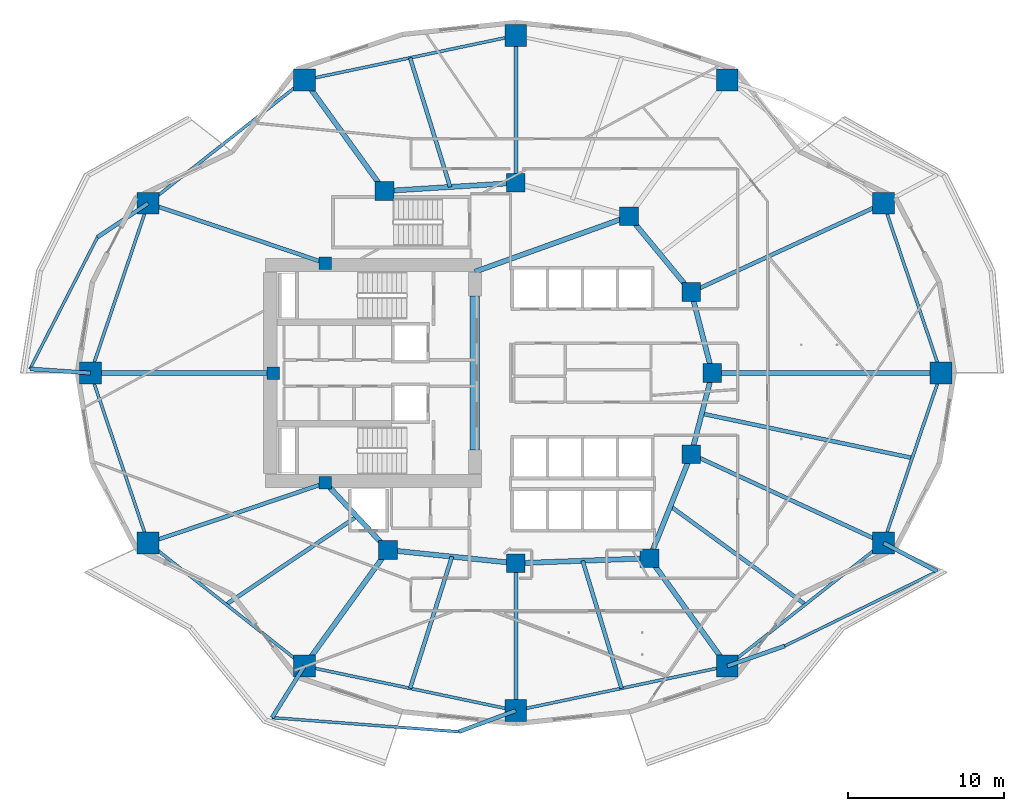
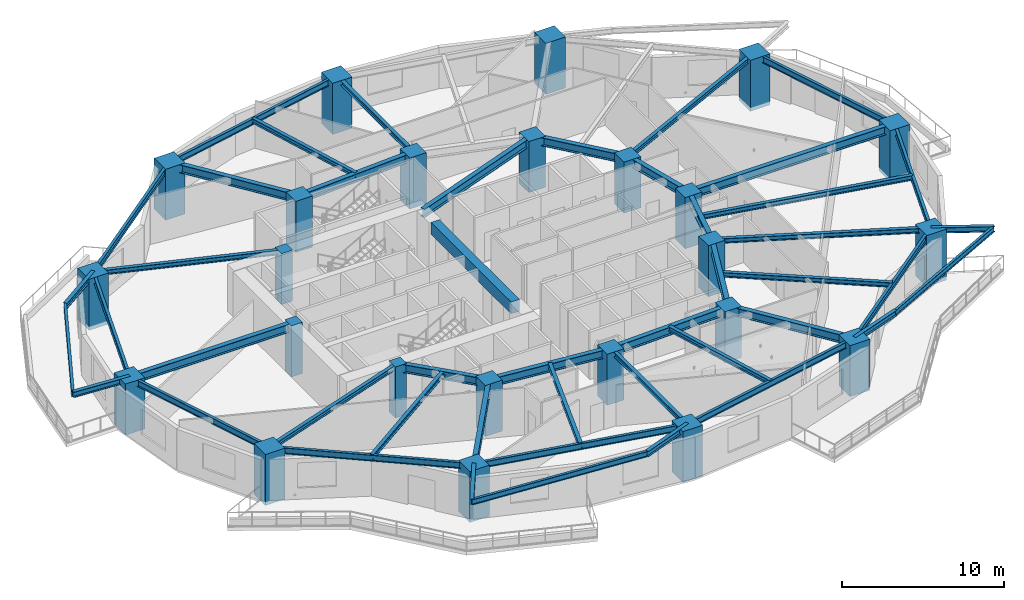
# One storey, part 1 of 16: 46 beams, 24 columns.
"""IFC4 building model written with IfcOpenShell, lengths in metres."""

from ifc_helpers import new_model, si_unit, direction, frame, origin, origin_2d, place, context, subcontext, project, spatial, rectangle, i_section, extrude, material, material_profile, profile_set, type_object, element, save


model = new_model("IFC4")

# Units and contexts
model_context = context("Model", 3, precision=1e-05, world=origin(), true_north=direction((0.0, 1.0)))
body_context = subcontext(model_context, "Body", "Model", "MODEL_VIEW")
ifc_project = project(units=[si_unit("LENGTHUNIT", "METRE"), si_unit("AREAUNIT", "SQUARE_METRE"), si_unit("VOLUMEUNIT", "CUBIC_METRE"), si_unit("PLANEANGLEUNIT", "RADIAN"), si_unit("MASSUNIT", "GRAM", prefix="KILO")], contexts=[model_context])

# Site, building, storey
site_placement = place(None, origin())
site = spatial("IfcSite", under=ifc_project, at=site_placement, CompositionType="ELEMENT")
building_placement = place(site_placement, origin())
building = spatial("IfcBuilding", under=site, at=building_placement, Name="Kolvaren Gate Tower and Convention Centre", CompositionType="ELEMENT")
storey_placement = place(building_placement, frame((0.0, 0.0, 34.199951171875)))
storey = spatial("IfcBuildingStorey", under=building, at=storey_placement, Name="L07", CompositionType="ELEMENT", Elevation=34.199951171875)

# Columns
ifc_material_1 = material(Name="Concrete C70/85", Category="concrete")
ifc_material_profile_1 = material_profile(ifc_material_1, rectangle(XDim=1.199951171875, YDim=1.199951171875, at=origin_2d()), Name="RC-COL-1200X1200")
ifc_profile_set_1 = profile_set([ifc_material_profile_1], Name="Concrete C70/85")
column_type_1 = type_object("IfcColumnType", Name="STR-COL-RC1200", PredefinedType="COLUMN", material=ifc_profile_set_1)
for number, where, z_axis, x_axis, name in (
    (1, (42.72509765625, 27.0, -0.280029296875), (0.0, 0.0, 1.0), (1.0, 0.0, 0.0), "Tower L07 Interior Column TI-01"),
    (2, (41.382080078125, 32.199462890625, -0.280029296875), (0.0, 0.0, 1.0), (1.0, 0.0, 0.0), "Tower L07 Interior Column TI-02"),
    (3, (37.381591796875, 37.054931640625, -0.280029296875), (0.0, 0.0, 1.0), (1.0, 0.0, 0.0), "Tower L07 Interior Column TI-03"),
    (4, (30.125, 39.199951171875, -0.280029296875), (0.0, 0.0, 1.0), (1.0, 0.0, 0.0), "Tower L07 Interior Column TI-04"),
    (5, (21.697998046875, 38.6767578125, -0.280029296875), (0.0, 0.0, 1.0), (1.0, 0.0, 0.0), "Tower L07 Interior Column TI-05"),
    (6, (21.93212890625, 15.647705078125, -0.280029296875), (0.0, 0.0, 1.0), (1.0, 0.0, 0.0), "Tower L07 Interior Column TI-06"),
    (7, (30.125, 14.800048828125, -0.280029296875), (0.0, 0.0, 1.0), (1.0, 0.0, 0.0), "Tower L07 Interior Column TI-07"),
    (8, (38.6982421875, 15.12060546875, -0.280029296875), (0.0, 0.0, 1.0), (1.0, 0.0, 0.0), "Tower L07 Interior Column TI-08"),
    (9, (41.382080078125, 21.800537109375, -0.280029296875), (0.0, 0.0, 1.0), (1.0, 0.0, 0.0), "Tower L07 Interior Column TI-09"),
):
    element("IfcColumn", number, at=place(storey_placement, frame(where, z_axis=z_axis, x_axis=x_axis)), inside=storey, type_object=column_type_1, Name=name, PredefinedType="COLUMN", context=body_context, shape_type="SweptSolid", body=[
        extrude(rectangle(XDim=1.199951171875, YDim=1.199951171875, at=origin_2d()), origin(), (0.0, 0.0, 1.0), 3.85009765625),
    ])
ifc_material_profile_2 = material_profile(ifc_material_1, rectangle(XDim=1.39990234375, YDim=1.39990234375, at=origin_2d()), Name="RC-COL-1400X1400")
ifc_profile_set_2 = profile_set([ifc_material_profile_2], Name="Concrete C70/85")
column_type_2 = type_object("IfcColumnType", Name="STR-COL-RC1400", PredefinedType="COLUMN", material=ifc_profile_set_2)
for number, where, z_axis, x_axis, name in (
    (10, (57.39990234375, 27.0, -0.280029296875), (0.0, 0.0, 1.0), (1.0, 0.0, 0.0), "Tower L07 Perimeter Supercolumn TP-01"),
    (11, (53.710205078125, 37.8935546875, -0.280029296875), (0.0, 0.0, 1.0), (1.0, 0.0, 0.0), "Tower L07 Perimeter Supercolumn TP-02"),
    (12, (43.690185546875, 45.79638671875, -0.280029296875), (0.0, 0.0, 1.0), (1.0, 0.0, 0.0), "Tower L07 Perimeter Supercolumn TP-03"),
    (13, (30.125, 48.64990234375, -0.280029296875), (0.0, 0.0, 1.0), (1.0, 0.0, 0.0), "Tower L07 Perimeter Supercolumn TP-04"),
    (14, (16.559814453125, 45.79638671875, -0.280029296875), (0.0, 0.0, 1.0), (1.0, 0.0, 0.0), "Tower L07 Perimeter Supercolumn TP-05"),
    (15, (6.539794921875, 37.8935546875, -0.280029296875), (0.0, 0.0, 1.0), (1.0, 0.0, 0.0), "Tower L07 Perimeter Supercolumn TP-06"),
    (16, (2.85009765625, 27.0, -0.280029296875), (0.0, 0.0, 1.0), (1.0, 0.0, 0.0), "Tower L07 Perimeter Supercolumn TP-07"),
    (17, (6.539794921875, 16.1064453125, -0.280029296875), (0.0, 0.0, 1.0), (1.0, 0.0, 0.0), "Tower L07 Perimeter Supercolumn TP-08"),
    (18, (16.559814453125, 8.20361328125, -0.280029296875), (0.0, 0.0, 1.0), (1.0, 0.0, 0.0), "Tower L07 Perimeter Supercolumn TP-09"),
    (19, (30.125, 5.35009765625, -0.280029296875), (0.0, 0.0, 1.0), (1.0, 0.0, 0.0), "Tower L07 Perimeter Supercolumn TP-10"),
    (20, (43.690185546875, 8.20361328125, -0.280029296875), (0.0, 0.0, 1.0), (1.0, 0.0, 0.0), "Tower L07 Perimeter Supercolumn TP-11"),
    (21, (53.710205078125, 16.1064453125, -0.280029296875), (0.0, 0.0, 1.0), (1.0, 0.0, 0.0), "Tower L07 Perimeter Supercolumn TP-12"),
):
    element("IfcColumn", number, at=place(storey_placement, frame(where, z_axis=z_axis, x_axis=x_axis)), inside=storey, type_object=column_type_2, Name=name, PredefinedType="COLUMN", context=body_context, shape_type="SweptSolid", body=[
        extrude(rectangle(XDim=1.39990234375, YDim=1.39990234375, at=origin_2d()), origin(), (0.0, 0.0, 1.0), 3.85009765625),
    ])
ifc_material_2 = material(Name="Concrete C60/75", Category="concrete")
ifc_material_profile_3 = material_profile(ifc_material_2, rectangle(XDim=0.800048828125, YDim=0.800048828125, at=origin_2d()), Name="RC-COL-800X800")
ifc_profile_set_3 = profile_set([ifc_material_profile_3], Name="Concrete C60/75")
column_type_3 = type_object("IfcColumnType", Name="STR-PIL-RC800", PredefinedType="PILASTER", material=ifc_profile_set_3)
for number, where, z_axis, x_axis, name in (
    (22, (17.9140625, 34.050048828125, -0.280029296875), (0.0, 0.0, 1.0), (1.0, 0.0, 0.0), "Tower L07 Core Boundary Pilaster TC-05"),
    (23, (14.550048828125, 27.0, -0.280029296875), (0.0, 0.0, 1.0), (1.0, 0.0, 0.0), "Tower L07 Core Boundary Pilaster TC-06"),
    (24, (17.9140625, 19.949951171875, -0.280029296875), (0.0, 0.0, 1.0), (1.0, 0.0, 0.0), "Tower L07 Core Boundary Pilaster TC-07"),
):
    element("IfcColumn", number, at=place(storey_placement, frame(where, z_axis=z_axis, x_axis=x_axis)), inside=storey, type_object=column_type_3, Name=name, PredefinedType="PILASTER", context=body_context, shape_type="SweptSolid", body=[
        extrude(rectangle(XDim=0.800048828125, YDim=0.800048828125, at=origin_2d()), origin(), (0.0, 0.0, 1.0), 3.85009765625),
    ])

# Beams
ifc_material_3 = material(Name="Structural steel ASTM A992 Grade 345 MPa", Category="steel")
ifc_material_profile_4 = material_profile(ifc_material_3, i_section(OverallWidth=0.260009765625, OverallDepth=0.419921875, WebThickness=0.013427734375, FlangeThickness=0.0224609375, at=origin_2d()), Name="W410X132")
ifc_profile_set_4 = profile_set([ifc_material_profile_4], Name="Structural steel ASTM A992 Grade 345 MPa")
beam_type_1 = type_object("IfcBeamType", Name="STR-BM-W410X132", PredefinedType="BEAM", material=ifc_profile_set_4)
beam_1_placement = place(storey_placement, frame((6.539794921875, 37.8935546875, 3.360595703125), z_axis=(-0.831587723286, -0.555393426753, 0.0), x_axis=(0.555393426753, -0.831587723286, 0.0)))
element("IfcBeam", 25, at=beam_1_placement, inside=storey, type_object=beam_type_1, Name="Tower L08 Planted Balcony Outrigger Cantilever BC-2A", PredefinedType="BEAM", context=body_context, shape_type="SweptSolid", body=[
    extrude(i_section(OverallWidth=0.260009765625, OverallDepth=0.419921875, WebThickness=0.013427734375, FlangeThickness=0.0224609375, at=origin_2d()), origin(), (0.0, 0.0, 1.0), 3.89990234375),
])
beam_2_placement = place(storey_placement, frame((2.85009765625, 27.0, 3.360595703125), z_axis=(-0.997678089324, 0.068106020905, 0.0), x_axis=(-0.068106020905, -0.997678089324, 0.0)))
element("IfcBeam", 26, at=beam_2_placement, inside=storey, type_object=beam_type_1, Name="Tower L08 Planted Balcony Outrigger Cantilever BC-2B", PredefinedType="BEAM", context=body_context, shape_type="SweptSolid", body=[
    extrude(i_section(OverallWidth=0.260009765625, OverallDepth=0.419921875, WebThickness=0.013427734375, FlangeThickness=0.0224609375, at=origin_2d()), origin(), (0.0, 0.0, 1.0), 3.900146484375),
])
beam_3_placement = place(storey_placement, frame((16.559814453125, 8.20361328125, 3.360595703125), z_axis=(-0.529869507961, -0.848079185296, 0.0), x_axis=(0.848079185296, -0.529869507961, 0.0)))
element("IfcBeam", 27, at=beam_3_placement, inside=storey, type_object=beam_type_1, Name="Tower L08 Planted Balcony Outrigger Cantilever BC-3A", PredefinedType="BEAM", context=body_context, shape_type="SweptSolid", body=[
    extrude(i_section(OverallWidth=0.260009765625, OverallDepth=0.419921875, WebThickness=0.013427734375, FlangeThickness=0.0224609375, at=origin_2d()), origin(), (0.0, 0.0, 1.0), 3.89990234375),
])
beam_4_placement = place(storey_placement, frame((30.125, 5.35009765625, 3.360595703125), z_axis=(-0.937407757703, -0.348233679873, 0.0), x_axis=(0.348233679873, -0.937407757703, 0.0)))
element("IfcBeam", 28, at=beam_4_placement, inside=storey, type_object=beam_type_1, Name="Tower L08 Planted Balcony Outrigger Cantilever BC-3B", PredefinedType="BEAM", context=body_context, shape_type="SweptSolid", body=[
    extrude(i_section(OverallWidth=0.260009765625, OverallDepth=0.419921875, WebThickness=0.013427734375, FlangeThickness=0.0224609375, at=origin_2d()), origin(), (0.0, 0.0, 1.0), 3.900146484375),
])
beam_5_placement = place(storey_placement, frame((43.690185546875, 8.20361328125, 3.360595703125), z_axis=(0.943988090262, 0.329979522765, 0.0), x_axis=(-0.329979522765, 0.943988090262, 0.0)))
element("IfcBeam", 29, at=beam_5_placement, inside=storey, type_object=beam_type_1, Name="Tower L08 Planted Balcony Outrigger Cantilever BC-4A", PredefinedType="BEAM", context=body_context, shape_type="SweptSolid", body=[
    extrude(i_section(OverallWidth=0.260009765625, OverallDepth=0.419921875, WebThickness=0.013427734375, FlangeThickness=0.0224609375, at=origin_2d()), origin(), (0.0, 0.0, 1.0), 3.89990234375),
])
beam_6_placement = place(storey_placement, frame((53.710205078125, 16.1064453125, 3.360595703125), z_axis=(0.882875702385, -0.469606744136, 0.0), x_axis=(0.469606744136, 0.882875702385, 0.0)))
element("IfcBeam", 30, at=beam_6_placement, inside=storey, type_object=beam_type_1, Name="Tower L08 Planted Balcony Outrigger Cantilever BC-4B", PredefinedType="BEAM", context=body_context, shape_type="SweptSolid", body=[
    extrude(i_section(OverallWidth=0.260009765625, OverallDepth=0.419921875, WebThickness=0.013427734375, FlangeThickness=0.0224609375, at=origin_2d()), origin(), (0.0, 0.0, 1.0), 3.900146484375),
])
ifc_material_profile_5 = material_profile(ifc_material_3, i_section(OverallWidth=0.327880859375, OverallDepth=0.6279296875, WebThickness=0.0166015625, FlangeThickness=0.027587890625, at=origin_2d()), Name="W610X217")
ifc_profile_set_5 = profile_set([ifc_material_profile_5], Name="Structural steel ASTM A992 Grade 345 MPa")
beam_type_2 = type_object("IfcBeamType", Name="STR-BM-W610X217", PredefinedType="BEAM", material=ifc_profile_set_5)
beam_7_placement = place(storey_placement, frame((42.72509765625, 27.0, 3.256103515625), z_axis=(-0.250091133936, -0.968222301296, 0.0), x_axis=(0.968222301296, -0.250091133936, 0.0)))
element("IfcBeam", 31, at=beam_7_placement, inside=storey, type_object=beam_type_2, Name="Tower L07 Primary Ring Girder G-01", PredefinedType="BEAM", context=body_context, shape_type="SweptSolid", body=[
    extrude(i_section(OverallWidth=0.327880859375, OverallDepth=0.6279296875, WebThickness=0.0166015625, FlangeThickness=0.027587890625, at=origin_2d()), origin(), (0.0, 0.0, 1.0), 5.3701171875),
])
beam_8_placement = place(storey_placement, frame((41.382080078125, 32.199462890625, 3.256103515625), z_axis=(-0.635884066011, 0.771784590798, 0.0), x_axis=(-0.771784590798, -0.635884066011, 0.0)))
element("IfcBeam", 32, at=beam_8_placement, inside=storey, type_object=beam_type_2, Name="Tower L07 Primary Ring Girder G-02", PredefinedType="BEAM", context=body_context, shape_type="SweptSolid", body=[
    extrude(i_section(OverallWidth=0.327880859375, OverallDepth=0.6279296875, WebThickness=0.0166015625, FlangeThickness=0.027587890625, at=origin_2d()), origin(), (0.0, 0.0, 1.0), 6.291259765625),
])
beam_9_placement = place(storey_placement, frame((30.125, 39.199951171875, 3.256103515625), z_axis=(-0.998078258568, -0.06196603726, 0.0), x_axis=(0.06196603726, -0.998078258568, 0.0)))
element("IfcBeam", 33, at=beam_9_placement, inside=storey, type_object=beam_type_2, Name="Tower L07 Primary Ring Girder G-04", PredefinedType="BEAM", context=body_context, shape_type="SweptSolid", body=[
    extrude(i_section(OverallWidth=0.327880859375, OverallDepth=0.6279296875, WebThickness=0.0166015625, FlangeThickness=0.027587890625, at=origin_2d()), origin(), (0.0, 0.0, 1.0), 8.443115234375),
])
beam_10_placement = place(storey_placement, frame((17.9140625, 19.949951171875, 3.256103515625), z_axis=(0.682557592987, -0.730831808459, 0.0), x_axis=(0.730831808459, 0.682557592987, 0.0)))
element("IfcBeam", 34, at=beam_10_placement, inside=storey, type_object=beam_type_2, Name="Tower L07 Primary Ring Girder G-06", PredefinedType="BEAM", context=body_context, shape_type="SweptSolid", body=[
    extrude(i_section(OverallWidth=0.327880859375, OverallDepth=0.6279296875, WebThickness=0.0166015625, FlangeThickness=0.027587890625, at=origin_2d()), origin(), (0.0, 0.0, 1.0), 5.88671875),
])
beam_11_placement = place(storey_placement, frame((21.93212890625, 15.647705078125, 3.256103515625), z_axis=(0.994690329115, -0.102913308978, 0.0), x_axis=(0.102913308978, 0.994690329115, 0.0)))
element("IfcBeam", 35, at=beam_11_placement, inside=storey, type_object=beam_type_2, Name="Tower L07 Primary Ring Girder G-07", PredefinedType="BEAM", context=body_context, shape_type="SweptSolid", body=[
    extrude(i_section(OverallWidth=0.327880859375, OverallDepth=0.6279296875, WebThickness=0.0166015625, FlangeThickness=0.027587890625, at=origin_2d()), origin(), (0.0, 0.0, 1.0), 8.236572265625),
])
beam_12_placement = place(storey_placement, frame((30.125, 14.800048828125, 3.256103515625), z_axis=(0.999301712453, 0.037364254142, 0.0), x_axis=(-0.037364254142, 0.999301712453, 0.0)))
element("IfcBeam", 36, at=beam_12_placement, inside=storey, type_object=beam_type_2, Name="Tower L07 Primary Ring Girder G-08", PredefinedType="BEAM", context=body_context, shape_type="SweptSolid", body=[
    extrude(i_section(OverallWidth=0.327880859375, OverallDepth=0.6279296875, WebThickness=0.0166015625, FlangeThickness=0.027587890625, at=origin_2d()), origin(), (0.0, 0.0, 1.0), 8.579345703125),
])
beam_13_placement = place(storey_placement, frame((38.6982421875, 15.12060546875, 3.256103515625), z_axis=(0.372811100169, 0.927907260232, 0.0), x_axis=(-0.927907260232, 0.372811100169, 0.0)))
element("IfcBeam", 37, at=beam_13_placement, inside=storey, type_object=beam_type_2, Name="Tower L07 Primary Ring Girder G-09", PredefinedType="BEAM", context=body_context, shape_type="SweptSolid", body=[
    extrude(i_section(OverallWidth=0.327880859375, OverallDepth=0.6279296875, WebThickness=0.0166015625, FlangeThickness=0.027587890625, at=origin_2d()), origin(), (0.0, 0.0, 1.0), 7.198974609375),
])
beam_14_placement = place(storey_placement, frame((27.5, 33.5, 3.256103515625), z_axis=(0.940961479908, 0.338513653093, 0.0), x_axis=(-0.338513653093, 0.940961479908, 0.0)))
element("IfcBeam", 38, at=beam_14_placement, inside=storey, type_object=beam_type_2, Name="Tower L07 Primary Ring Girder G-10", PredefinedType="BEAM", context=body_context, shape_type="SweptSolid", body=[
    extrude(i_section(OverallWidth=0.327880859375, OverallDepth=0.6279296875, WebThickness=0.0166015625, FlangeThickness=0.027587890625, at=origin_2d()), origin(), (0.0, 0.0, 1.0), 10.501708984375),
])
beam_15_placement = place(storey_placement, frame((42.72509765625, 27.0, 3.256103515625), z_axis=(-0.250091133936, 0.968222301296, 0.0), x_axis=(-0.968222301296, -0.250091133936, 0.0)))
element("IfcBeam", 39, at=beam_15_placement, inside=storey, type_object=beam_type_2, Name="Tower L07 Primary Ring Girder G-12", PredefinedType="BEAM", context=body_context, shape_type="SweptSolid", body=[
    extrude(i_section(OverallWidth=0.327880859375, OverallDepth=0.6279296875, WebThickness=0.0166015625, FlangeThickness=0.027587890625, at=origin_2d()), origin(), (0.0, 0.0, 1.0), 5.3701171875),
])
beam_16_placement = place(storey_placement, frame((42.72509765625, 27.0, 3.256103515625), z_axis=(1.0, 0.0, 0.0), x_axis=(0.0, 1.0, 0.0)))
element("IfcBeam", 40, at=beam_16_placement, inside=storey, type_object=beam_type_2, Name="Tower L07 Radial Floor Girder RB-01", PredefinedType="BEAM", context=body_context, shape_type="SweptSolid", body=[
    extrude(i_section(OverallWidth=0.327880859375, OverallDepth=0.6279296875, WebThickness=0.0166015625, FlangeThickness=0.027587890625, at=origin_2d()), origin(), (0.0, 0.0, 1.0), 14.6748046875),
])
beam_17_placement = place(storey_placement, frame((21.697998046875, 38.6767578125, 3.256103515625), z_axis=(-0.585208283095, 0.810883015852, 0.0), x_axis=(-0.810883015852, -0.585208283095, 0.0)))
element("IfcBeam", 41, at=beam_17_placement, inside=storey, type_object=beam_type_2, Name="Tower L07 Radial Floor Girder RB-05", PredefinedType="BEAM", context=body_context, shape_type="SweptSolid", body=[
    extrude(i_section(OverallWidth=0.327880859375, OverallDepth=0.6279296875, WebThickness=0.0166015625, FlangeThickness=0.027587890625, at=origin_2d()), origin(), (0.0, 0.0, 1.0), 8.780029296875),
])
beam_18_placement = place(storey_placement, frame((14.550048828125, 27.0, 3.256103515625), z_axis=(-1.0, 0.0, 0.0), x_axis=(0.0, -1.0, 0.0)))
element("IfcBeam", 42, at=beam_18_placement, inside=storey, type_object=beam_type_2, Name="Tower L07 Radial Floor Girder RB-07", PredefinedType="BEAM", context=body_context, shape_type="SweptSolid", body=[
    extrude(i_section(OverallWidth=0.327880859375, OverallDepth=0.6279296875, WebThickness=0.0166015625, FlangeThickness=0.027587890625, at=origin_2d()), origin(), (0.0, 0.0, 1.0), 11.699951171875),
])
beam_19_placement = place(storey_placement, frame((21.93212890625, 15.647705078125, 3.256103515625), z_axis=(-0.585206018873, -0.810884649919, 0.0), x_axis=(0.810884649919, -0.585206018873, 0.0)))
element("IfcBeam", 43, at=beam_19_placement, inside=storey, type_object=beam_type_2, Name="Tower L07 Radial Floor Girder RB-09", PredefinedType="BEAM", context=body_context, shape_type="SweptSolid", body=[
    extrude(i_section(OverallWidth=0.327880859375, OverallDepth=0.6279296875, WebThickness=0.0166015625, FlangeThickness=0.027587890625, at=origin_2d()), origin(), (0.0, 0.0, 1.0), 9.18017578125),
])
beam_20_placement = place(storey_placement, frame((38.6982421875, 15.12060546875, 3.256103515625), z_axis=(0.585208374732, -0.810882949718, 0.0), x_axis=(0.810882949718, 0.585208374732, 0.0)))
element("IfcBeam", 44, at=beam_20_placement, inside=storey, type_object=beam_type_2, Name="Tower L07 Radial Floor Girder RB-11", PredefinedType="BEAM", context=body_context, shape_type="SweptSolid", body=[
    extrude(i_section(OverallWidth=0.327880859375, OverallDepth=0.6279296875, WebThickness=0.0166015625, FlangeThickness=0.027587890625, at=origin_2d()), origin(), (0.0, 0.0, 1.0), 8.5302734375),
])
ifc_material_profile_6 = material_profile(ifc_material_3, i_section(OverallWidth=0.2548828125, OverallDepth=0.35693359375, WebThickness=0.010498046875, FlangeThickness=0.018310546875, at=origin_2d()), Name="W360X101")
ifc_profile_set_6 = profile_set([ifc_material_profile_6], Name="Structural steel ASTM A992 Grade 345 MPa")
beam_type_3 = type_object("IfcBeamType", Name="STR-JS-W360X101", PredefinedType="JOIST", material=ifc_profile_set_6)
beam_21_placement = place(storey_placement, frame((41.382080078125, 32.199462890625, 3.3916015625), z_axis=(0.907842006347, 0.419312403241, 0.0), x_axis=(-0.419312403241, 0.907842006347, 0.0)))
element("IfcBeam", 45, at=beam_21_placement, inside=storey, type_object=beam_type_3, Name="Tower L07 Radial Floor Girder RB-02", PredefinedType="JOIST", context=body_context, shape_type="SweptSolid", body=[
    extrude(i_section(OverallWidth=0.2548828125, OverallDepth=0.35693359375, WebThickness=0.010498046875, FlangeThickness=0.018310546875, at=origin_2d()), origin(), (0.0, 0.0, 1.0), 13.57958984375),
])
beam_22_placement = place(storey_placement, frame((30.125, 39.199951171875, 3.3916015625), z_axis=(0.0, 1.0, 0.0), x_axis=(-1.0, 0.0, 0.0)))
element("IfcBeam", 46, at=beam_22_placement, inside=storey, type_object=beam_type_3, Name="Tower L07 Radial Floor Girder RB-04", PredefinedType="JOIST", context=body_context, shape_type="SweptSolid", body=[
    extrude(i_section(OverallWidth=0.2548828125, OverallDepth=0.35693359375, WebThickness=0.010498046875, FlangeThickness=0.018310546875, at=origin_2d()), origin(), (0.0, 0.0, 1.0), 9.449951171875),
])
for number, where, z_axis, x_axis, name in (
    (47, (17.9140625, 34.050048828125, 3.3916015625), (-0.947373842609, 0.320129352512, 0.0), (-0.320129352512, -0.947373842609, 0.0), "Tower L07 Radial Floor Girder RB-06"),
    (48, (17.9140625, 19.949951171875, 3.3916015625), (-0.947373842609, -0.320129352512, 0.0), (0.320129352512, -0.947373842609, 0.0), "Tower L07 Radial Floor Girder RB-08"),
):
    element("IfcBeam", number, at=place(storey_placement, frame(where, z_axis=z_axis, x_axis=x_axis)), inside=storey, type_object=beam_type_3, Name=name, PredefinedType="JOIST", context=body_context, shape_type="SweptSolid", body=[
        extrude(i_section(OverallWidth=0.2548828125, OverallDepth=0.35693359375, WebThickness=0.010498046875, FlangeThickness=0.018310546875, at=origin_2d()), origin(), (0.0, 0.0, 1.0), 12.006103515625),
    ])
beam_23_placement = place(storey_placement, frame((30.125, 14.800048828125, 3.3916015625), z_axis=(0.0, -1.0, 0.0), x_axis=(1.0, 0.0, 0.0)))
element("IfcBeam", 49, at=beam_23_placement, inside=storey, type_object=beam_type_3, Name="Tower L07 Radial Floor Girder RB-10", PredefinedType="JOIST", context=body_context, shape_type="SweptSolid", body=[
    extrude(i_section(OverallWidth=0.2548828125, OverallDepth=0.35693359375, WebThickness=0.010498046875, FlangeThickness=0.018310546875, at=origin_2d()), origin(), (0.0, 0.0, 1.0), 9.449951171875),
])
beam_24_placement = place(storey_placement, frame((41.382080078125, 21.800537109375, 3.3916015625), z_axis=(0.907842006347, -0.419312403241, 0.0), x_axis=(0.419312403241, 0.907842006347, 0.0)))
element("IfcBeam", 50, at=beam_24_placement, inside=storey, type_object=beam_type_3, Name="Tower L07 Radial Floor Girder RB-12", PredefinedType="JOIST", context=body_context, shape_type="SweptSolid", body=[
    extrude(i_section(OverallWidth=0.2548828125, OverallDepth=0.35693359375, WebThickness=0.010498046875, FlangeThickness=0.018310546875, at=origin_2d()), origin(), (0.0, 0.0, 1.0), 13.57958984375),
])
beam_25_placement = place(storey_placement, frame((25.91162109375, 38.938232421875, 3.3916015625), z_axis=(-0.296205333134, 0.955124285433, 0.0), x_axis=(-0.955124285433, -0.296205333134, 0.0)))
element("IfcBeam", 51, at=beam_25_placement, inside=storey, type_object=beam_type_3, Name="Tower L07 Secondary Composite Floor Joist J-04.1", PredefinedType="JOIST", context=body_context, shape_type="SweptSolid", body=[
    extrude(i_section(OverallWidth=0.2548828125, OverallDepth=0.35693359375, WebThickness=0.010498046875, FlangeThickness=0.018310546875, at=origin_2d()), origin(), (0.0, 0.0, 1.0), 8.674072265625),
])
beam_26_placement = place(storey_placement, frame((19.923095703125, 17.798828125, 3.3916015625), z_axis=(-0.829223797874, -0.558916713866, 0.0), x_axis=(0.558916713866, -0.829223797874, 0.0)))
element("IfcBeam", 52, at=beam_26_placement, inside=storey, type_object=beam_type_3, Name="Tower L07 Secondary Composite Floor Joist J-08.1", PredefinedType="JOIST", context=body_context, shape_type="SweptSolid", body=[
    extrude(i_section(OverallWidth=0.2548828125, OverallDepth=0.35693359375, WebThickness=0.010498046875, FlangeThickness=0.018310546875, at=origin_2d()), origin(), (0.0, 0.0, 1.0), 10.09765625),
])
beam_27_placement = place(storey_placement, frame((26.028564453125, 15.223876953125, 3.3916015625), z_axis=(-0.303059270932, -0.952971709078, 0.0), x_axis=(0.952971709078, -0.303059270932, 0.0)))
element("IfcBeam", 53, at=beam_27_placement, inside=storey, type_object=beam_type_3, Name="Tower L07 Secondary Composite Floor Joist J-09.1", PredefinedType="JOIST", context=body_context, shape_type="SweptSolid", body=[
    extrude(i_section(OverallWidth=0.2548828125, OverallDepth=0.35693359375, WebThickness=0.010498046875, FlangeThickness=0.018310546875, at=origin_2d()), origin(), (0.0, 0.0, 1.0), 8.86376953125),
])
beam_28_placement = place(storey_placement, frame((34.41162109375, 14.960205078125, 3.3916015625), z_axis=(0.291750890749, -0.956494337541, 0.0), x_axis=(0.956494337541, 0.291750890749, 0.0)))
element("IfcBeam", 54, at=beam_28_placement, inside=storey, type_object=beam_type_3, Name="Tower L07 Secondary Composite Floor Joist J-10.1", PredefinedType="JOIST", context=body_context, shape_type="SweptSolid", body=[
    extrude(i_section(OverallWidth=0.2548828125, OverallDepth=0.35693359375, WebThickness=0.010498046875, FlangeThickness=0.018310546875, at=origin_2d()), origin(), (0.0, 0.0, 1.0), 8.5556640625),
])
beam_29_placement = place(storey_placement, frame((40.040283203125, 18.46044921875, 3.3916015625), z_axis=(0.808411716387, -0.588617445212, 0.0), x_axis=(0.588617445212, 0.808411716387, 0.0)))
element("IfcBeam", 55, at=beam_29_placement, inside=storey, type_object=beam_type_3, Name="Tower L07 Secondary Composite Floor Joist J-11.1", PredefinedType="JOIST", context=body_context, shape_type="SweptSolid", body=[
    extrude(i_section(OverallWidth=0.2548828125, OverallDepth=0.35693359375, WebThickness=0.010498046875, FlangeThickness=0.018310546875, at=origin_2d()), origin(), (0.0, 0.0, 1.0), 10.712158203125),
])
beam_30_placement = place(storey_placement, frame((42.0537109375, 24.400146484375, 3.3916015625), z_axis=(0.978483842038, -0.206323461756, 0.0), x_axis=(0.206323461756, 0.978483842038, 0.0)))
element("IfcBeam", 56, at=beam_30_placement, inside=storey, type_object=beam_type_3, Name="Tower L07 Secondary Composite Floor Joist J-12.1", PredefinedType="JOIST", context=body_context, shape_type="SweptSolid", body=[
    extrude(i_section(OverallWidth=0.2548828125, OverallDepth=0.35693359375, WebThickness=0.010498046875, FlangeThickness=0.018310546875, at=origin_2d()), origin(), (0.0, 0.0, 1.0), 13.79833984375),
])
ifc_material_profile_7 = material_profile(ifc_material_2, rectangle(XDim=0.60009765625, YDim=0.89990234375, at=origin_2d()), Name="RC-BM-600X900")
ifc_profile_set_7 = profile_set([ifc_material_profile_7], Name="Concrete C60/75")
beam_type_4 = type_object("IfcBeamType", Name="STR-LN-RC600X900", PredefinedType="LINTEL", material=ifc_profile_set_7)
beam_31_placement = place(storey_placement, frame((27.5, 22.050048828125, 3.1201171875), z_axis=(0.0, 1.0, 0.0), x_axis=(-1.0, 0.0, 0.0)))
element("IfcBeam", 57, at=beam_31_placement, inside=storey, type_object=beam_type_4, Name="Tower L07 Core Ductile Coupling Beam CB-01", PredefinedType="LINTEL", context=body_context, shape_type="SweptSolid", body=[
    extrude(rectangle(XDim=0.60009765625, YDim=0.89990234375, at=origin_2d()), origin(), (0.0, 0.0, 1.0), 9.89990234375),
])
ifc_material_profile_8 = material_profile(ifc_material_3, i_section(OverallWidth=0.180908203125, OverallDepth=0.4169921875, WebThickness=0.010986328125, FlangeThickness=0.018310546875, at=origin_2d()), Name="W410X85")
ifc_profile_set_8 = profile_set([ifc_material_profile_8], Name="Structural steel ASTM A992 Grade 345 MPa")
beam_type_5 = type_object("IfcBeamType", Name="STR-SP-W410X85", PredefinedType="SPANDREL", material=ifc_profile_set_8)
beam_32_placement = place(storey_placement, frame((3.296630859375, 35.7275390625, 3.362060546875), z_axis=(-0.456167042061, -0.889894167717, 0.0), x_axis=(0.889894167717, -0.456167042061, 0.0)))
element("IfcBeam", 58, at=beam_32_placement, inside=storey, type_object=beam_type_5, Name="Tower L08 Planted Balcony Header Tie Beam BT-2", PredefinedType="SPANDREL", context=body_context, shape_type="SweptSolid", body=[
    extrude(i_section(OverallWidth=0.180908203125, OverallDepth=0.4169921875, WebThickness=0.010986328125, FlangeThickness=0.018310546875, at=origin_2d()), origin(), (0.0, 0.0, 1.0), 9.5087890625),
])
beam_33_placement = place(storey_placement, frame((14.493408203125, 4.896240234375, 3.362060546875), z_axis=(0.997161126169, -0.075297333673, 0.0), x_axis=(0.075297333673, 0.997161126169, 0.0)))
element("IfcBeam", 59, at=beam_33_placement, inside=storey, type_object=beam_type_5, Name="Tower L08 Planted Balcony Header Tie Beam BT-3", PredefinedType="SPANDREL", context=body_context, shape_type="SweptSolid", body=[
    extrude(i_section(OverallWidth=0.180908203125, OverallDepth=0.4169921875, WebThickness=0.010986328125, FlangeThickness=0.018310546875, at=origin_2d()), origin(), (0.0, 0.0, 1.0), 12.009765625),
])
beam_34_placement = place(storey_placement, frame((47.37158203125, 9.490478515625, 3.362060546875), z_axis=(0.898307480686, 0.43936735216, 0.0), x_axis=(-0.43936735216, 0.898307480686, 0.0)))
element("IfcBeam", 60, at=beam_34_placement, inside=storey, type_object=beam_type_5, Name="Tower L08 Planted Balcony Header Tie Beam BT-4", PredefinedType="SPANDREL", context=body_context, shape_type="SweptSolid", body=[
    extrude(i_section(OverallWidth=0.180908203125, OverallDepth=0.4169921875, WebThickness=0.010986328125, FlangeThickness=0.018310546875, at=origin_2d()), origin(), (0.0, 0.0, 1.0), 10.889404296875),
])
ifc_material_profile_9 = material_profile(ifc_material_3, i_section(OverallWidth=0.194091796875, OverallDepth=0.468994140625, WebThickness=0.0126953125, FlangeThickness=0.0205078125, at=origin_2d()), Name="W460X106")
ifc_profile_set_9 = profile_set([ifc_material_profile_9], Name="Structural steel ASTM A992 Grade 345 MPa")
beam_type_6 = type_object("IfcBeamType", Name="STR-SP-W460X106", PredefinedType="SPANDREL", material=ifc_profile_set_9)
beam_35_placement = place(storey_placement, frame((57.39990234375, 27.0, 3.33544921875), z_axis=(-0.320802733798, 0.947146032029, 0.0), x_axis=(-0.947146032029, -0.320802733798, 0.0)))
element("IfcBeam", 61, at=beam_35_placement, inside=storey, type_object=beam_type_6, Name="Tower L07 Perimeter Spandrel Beam SP-01", PredefinedType="SPANDREL", context=body_context, shape_type="SweptSolid", body=[
    extrude(i_section(OverallWidth=0.194091796875, OverallDepth=0.468994140625, WebThickness=0.0126953125, FlangeThickness=0.0205078125, at=origin_2d()), origin(), (0.0, 0.0, 1.0), 11.50146484375),
])
beam_36_placement = place(storey_placement, frame((30.125, 48.64990234375, 3.33544921875), z_axis=(-0.978583407863, -0.205850707685, 0.0), x_axis=(0.205850707685, -0.978583407863, 0.0)))
element("IfcBeam", 62, at=beam_36_placement, inside=storey, type_object=beam_type_6, Name="Tower L07 Perimeter Spandrel Beam SP-04", PredefinedType="SPANDREL", context=body_context, shape_type="SweptSolid", body=[
    extrude(i_section(OverallWidth=0.194091796875, OverallDepth=0.468994140625, WebThickness=0.0126953125, FlangeThickness=0.0205078125, at=origin_2d()), origin(), (0.0, 0.0, 1.0), 13.862060546875),
])
beam_37_placement = place(storey_placement, frame((16.559814453125, 45.79638671875, 3.33544921875), z_axis=(-0.785176498861, -0.619272044933, 0.0), x_axis=(0.619272044933, -0.785176498861, 0.0)))
element("IfcBeam", 63, at=beam_37_placement, inside=storey, type_object=beam_type_6, Name="Tower L07 Perimeter Spandrel Beam SP-05", PredefinedType="SPANDREL", context=body_context, shape_type="SweptSolid", body=[
    extrude(i_section(OverallWidth=0.194091796875, OverallDepth=0.468994140625, WebThickness=0.0126953125, FlangeThickness=0.0205078125, at=origin_2d()), origin(), (0.0, 0.0, 1.0), 12.761474609375),
])
for number, where, z_axis, x_axis, name in (
    (64, (6.539794921875, 37.8935546875, 3.33544921875), (-0.320802733798, -0.947146032029, 0.0), (0.947146032029, -0.320802733798, 0.0), "Tower L07 Perimeter Spandrel Beam SP-06"),
    (65, (2.85009765625, 27.0, 3.33544921875), (0.320802733798, -0.947146032029, 0.0), (0.947146032029, 0.320802733798, 0.0), "Tower L07 Perimeter Spandrel Beam SP-07"),
):
    element("IfcBeam", number, at=place(storey_placement, frame(where, z_axis=z_axis, x_axis=x_axis)), inside=storey, type_object=beam_type_6, Name=name, PredefinedType="SPANDREL", context=body_context, shape_type="SweptSolid", body=[
        extrude(i_section(OverallWidth=0.194091796875, OverallDepth=0.468994140625, WebThickness=0.0126953125, FlangeThickness=0.0205078125, at=origin_2d()), origin(), (0.0, 0.0, 1.0), 11.50146484375),
    ])
beam_38_placement = place(storey_placement, frame((6.539794921875, 16.1064453125, 3.33544921875), z_axis=(0.785176498861, -0.619272044933, 0.0), x_axis=(0.619272044933, 0.785176498861, 0.0)))
element("IfcBeam", 66, at=beam_38_placement, inside=storey, type_object=beam_type_6, Name="Tower L07 Perimeter Spandrel Beam SP-08", PredefinedType="SPANDREL", context=body_context, shape_type="SweptSolid", body=[
    extrude(i_section(OverallWidth=0.194091796875, OverallDepth=0.468994140625, WebThickness=0.0126953125, FlangeThickness=0.0205078125, at=origin_2d()), origin(), (0.0, 0.0, 1.0), 12.761474609375),
])
for number, where, z_axis, x_axis, name in (
    (67, (16.559814453125, 8.20361328125, 3.33544921875), (0.978583407863, -0.205850707685, 0.0), (0.205850707685, 0.978583407863, 0.0), "Tower L07 Perimeter Spandrel Beam SP-09"),
    (68, (30.125, 5.35009765625, 3.33544921875), (0.978583407863, 0.205850707685, 0.0), (-0.205850707685, 0.978583407863, 0.0), "Tower L07 Perimeter Spandrel Beam SP-10"),
):
    element("IfcBeam", number, at=place(storey_placement, frame(where, z_axis=z_axis, x_axis=x_axis)), inside=storey, type_object=beam_type_6, Name=name, PredefinedType="SPANDREL", context=body_context, shape_type="SweptSolid", body=[
        extrude(i_section(OverallWidth=0.194091796875, OverallDepth=0.468994140625, WebThickness=0.0126953125, FlangeThickness=0.0205078125, at=origin_2d()), origin(), (0.0, 0.0, 1.0), 13.862060546875),
    ])
beam_39_placement = place(storey_placement, frame((43.690185546875, 8.20361328125, 3.33544921875), z_axis=(0.785176498861, 0.619272044933, 0.0), x_axis=(-0.619272044933, 0.785176498861, 0.0)))
element("IfcBeam", 69, at=beam_39_placement, inside=storey, type_object=beam_type_6, Name="Tower L07 Perimeter Spandrel Beam SP-11", PredefinedType="SPANDREL", context=body_context, shape_type="SweptSolid", body=[
    extrude(i_section(OverallWidth=0.194091796875, OverallDepth=0.468994140625, WebThickness=0.0126953125, FlangeThickness=0.0205078125, at=origin_2d()), origin(), (0.0, 0.0, 1.0), 12.761474609375),
])
beam_40_placement = place(storey_placement, frame((53.710205078125, 16.1064453125, 3.33544921875), z_axis=(0.320802733798, 0.947146032029, 0.0), x_axis=(-0.947146032029, 0.320802733798, 0.0)))
element("IfcBeam", 70, at=beam_40_placement, inside=storey, type_object=beam_type_6, Name="Tower L07 Perimeter Spandrel Beam SP-12", PredefinedType="SPANDREL", context=body_context, shape_type="SweptSolid", body=[
    extrude(i_section(OverallWidth=0.194091796875, OverallDepth=0.468994140625, WebThickness=0.0126953125, FlangeThickness=0.0205078125, at=origin_2d()), origin(), (0.0, 0.0, 1.0), 11.50146484375),
])

save(model, "model.ifc")
